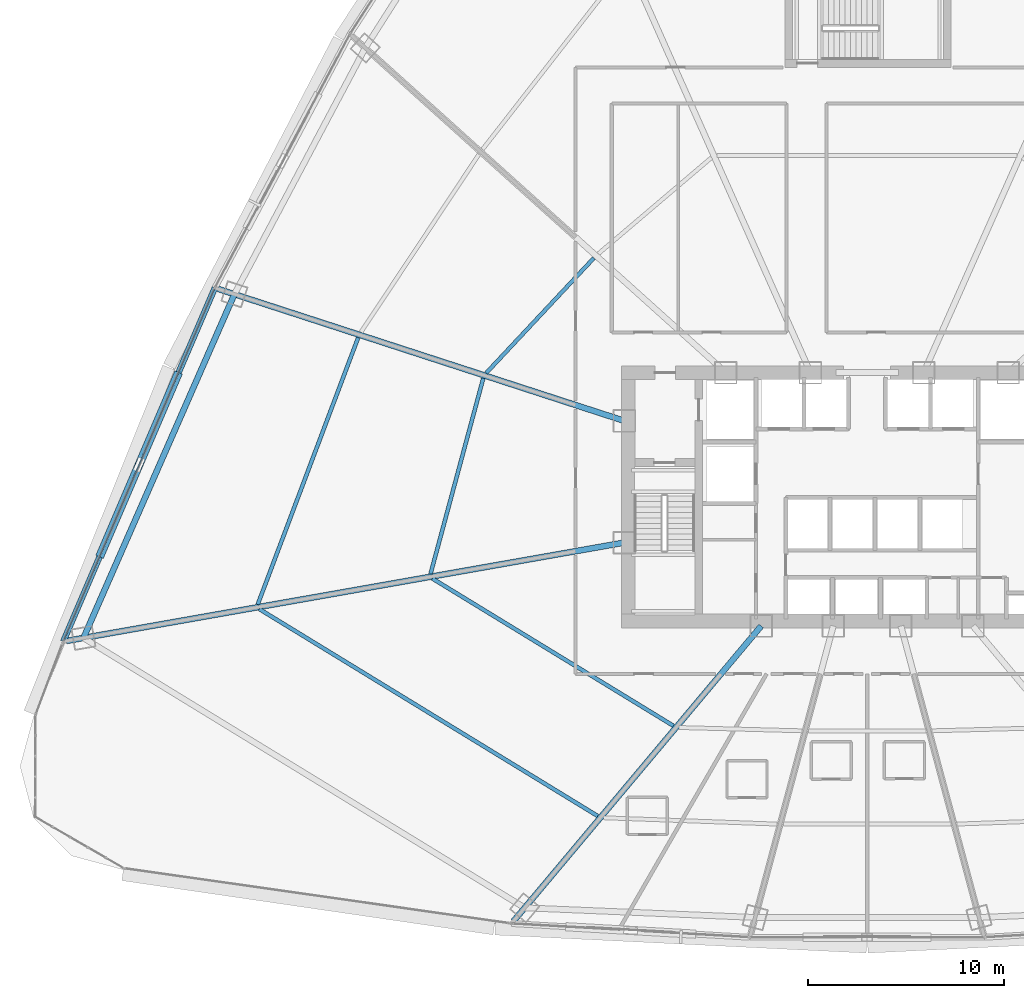
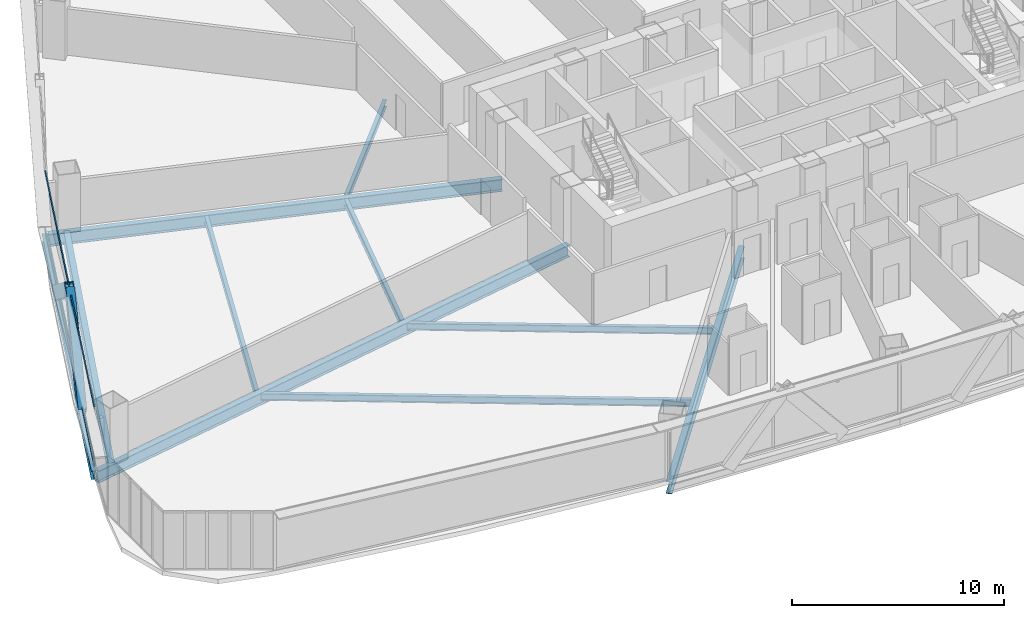
# One storey, part 7 of 40: 10 beams, 4 members, 1 element without a shape of its own.
"""IFC4 building model written with IfcOpenShell, lengths in metres."""

from ifc_helpers import new_model, si_unit, direction, frame, origin, origin_2d, place, context, subcontext, project, spatial, hollow_rectangle, i_section, extrude, source, transform, mapped, material, layer, layer_set, material_profile, profile_set, type_object, element, aggregate, save


model = new_model("IFC4")

# Units and contexts
model_context = context("Model", 3, precision=1e-05, world=origin(), true_north=direction((0.0, 1.0)))
body_context = subcontext(model_context, "Body", "Model", "MODEL_VIEW")
ifc_project = project(units=[si_unit("LENGTHUNIT", "METRE"), si_unit("AREAUNIT", "SQUARE_METRE"), si_unit("VOLUMEUNIT", "CUBIC_METRE"), si_unit("PLANEANGLEUNIT", "RADIAN"), si_unit("MASSUNIT", "GRAM", prefix="KILO"), si_unit("THERMODYNAMICTEMPERATUREUNIT", "KELVIN"), si_unit("POWERUNIT", "WATT")], contexts=[model_context])

# Site, building, storey
site_placement = place(None, origin())
site = spatial("IfcSite", under=ifc_project, at=site_placement, CompositionType="ELEMENT")
building_placement = place(site_placement, origin())
building = spatial("IfcBuilding", under=site, at=building_placement, Name="Yunzhuo Pagoda Commons", CompositionType="ELEMENT")
storey_placement = place(building_placement, frame((0.0, 0.0, 66.699951171875)))
storey = spatial("IfcBuildingStorey", under=building, at=storey_placement, Name="L17", CompositionType="ELEMENT", Elevation=66.699951171875)

# Beams
ifc_material_1 = material(Name="Structural steel Q355B", Category="steel")
ifc_material_profile_1 = material_profile(ifc_material_1, i_section(OverallWidth=0.300048828125, OverallDepth=0.699951171875, WebThickness=0.012939453125, FlangeThickness=0.02392578125, at=origin_2d()), Name="Structural steel Q355B")
ifc_profile_set_1 = profile_set([ifc_material_profile_1], Name="Structural steel Q355B")
beam_type_1 = type_object("IfcBeamType", Name="B-RG1 Beam HN 700x300x13x24", PredefinedType="BEAM", material=ifc_profile_set_1)
shared_shape_1 = source(origin(), body_context, "Body", "SweptSolid", [
    extrude(i_section(OverallWidth=0.300048828125, OverallDepth=0.699951171875, WebThickness=0.012939453125, FlangeThickness=0.02392578125, at=origin_2d()), origin(), (0.0, 0.0, 1.0), 19.18603515625),
])
beam_1_placement = place(storey_placement, frame((15.66455078125, 44.206298828125, -0.60986328125), z_axis=(-0.40196534204, -0.915654882474, 0.0), x_axis=(0.915654882474, -0.40196534204, 0.0)))
element("IfcBeam", 1, at=beam_1_placement, inside=storey, type_object=beam_type_1, Name="L17 column-ring beam 11", PredefinedType="BEAM", context=body_context, shape_type="MappedRepresentation", body=[
    mapped(shared_shape_1, transform((0.0, 0.0, 0.0), scale=1.0)),
])
ifc_material_profile_2 = material_profile(ifc_material_1, i_section(OverallWidth=0.199951171875, OverallDepth=0.39990234375, WebThickness=0.008056640625, FlangeThickness=0.012939453125, at=origin_2d()), Name="Structural steel Q355B")
ifc_profile_set_2 = profile_set([ifc_material_profile_2], Name="Structural steel Q355B")
beam_type_2 = type_object("IfcBeamType", Name="B-JS1 Joist HN 400x200x8x13", PredefinedType="JOIST", material=ifc_profile_set_2)
shared_shape_2 = source(origin(), body_context, "Body", "SweptSolid", [
    extrude(i_section(OverallWidth=0.199951171875, OverallDepth=0.39990234375, WebThickness=0.008056640625, FlangeThickness=0.012939453125, at=origin_2d()), origin(), (0.0, 0.0, 1.0), 14.4365234375),
])
beam_2_placement = place(storey_placement, frame((25.782470703125, 29.675537109375, -0.4599609375), z_axis=(0.85325633277, -0.521491735876, 0.0), x_axis=(0.521491735876, 0.85325633277, 0.0)))
element("IfcBeam", 2, at=beam_2_placement, inside=storey, type_object=beam_type_2, Name="L17 composite ring joist 1.12", PredefinedType="JOIST", context=body_context, shape_type="MappedRepresentation", body=[
    mapped(shared_shape_2, transform((0.0, 0.0, 0.0), scale=1.0)),
])
shared_shape_3 = source(origin(), body_context, "Body", "SweptSolid", [
    extrude(i_section(OverallWidth=0.199951171875, OverallDepth=0.39990234375, WebThickness=0.008056640625, FlangeThickness=0.012939453125, at=origin_2d()), origin(), (0.0, 0.0, 1.0), 20.275634765625),
])
beam_3_placement = place(storey_placement, frame((16.935302734375, 28.11572265625, -0.4599609375), z_axis=(0.853102898066, -0.521742700295, 0.0), x_axis=(0.521742700295, 0.853102898066, 0.0)))
element("IfcBeam", 3, at=beam_3_placement, inside=storey, type_object=beam_type_2, Name="L17 composite ring joist 2.12", PredefinedType="JOIST", context=body_context, shape_type="MappedRepresentation", body=[
    mapped(shared_shape_3, transform((0.0, 0.0, 0.0), scale=1.0)),
])
shared_shape_4 = source(origin(), body_context, "Body", "SweptSolid", [
    extrude(i_section(OverallWidth=0.199951171875, OverallDepth=0.39990234375, WebThickness=0.008056640625, FlangeThickness=0.012939453125, at=origin_2d()), origin(), (0.0, 0.0, 1.0), 10.351806640625),
])
beam_4_placement = place(storey_placement, frame((28.3818359375, 39.9072265625, -0.4599609375), z_axis=(-0.260208595802, -0.965552425646, 0.0), x_axis=(0.965552425646, -0.260208595802, 0.0)))
element("IfcBeam", 4, at=beam_4_placement, inside=storey, type_object=beam_type_2, Name="L17 composite ring joist 1.11", PredefinedType="JOIST", context=body_context, shape_type="MappedRepresentation", body=[
    mapped(shared_shape_4, transform((0.0, 0.0, 0.0), scale=1.0)),
])
shared_shape_5 = source(origin(), body_context, "Body", "SweptSolid", [
    extrude(i_section(OverallWidth=0.199951171875, OverallDepth=0.39990234375, WebThickness=0.008056640625, FlangeThickness=0.012939453125, at=origin_2d()), origin(), (0.0, 0.0, 1.0), 14.571044921875),
])
beam_5_placement = place(storey_placement, frame((21.98779296875, 41.98486328125, -0.4599609375), z_axis=(-0.352208383632, -0.935921607027, 0.0), x_axis=(0.935921607027, -0.352208383632, 0.0)))
element("IfcBeam", 5, at=beam_5_placement, inside=storey, type_object=beam_type_2, Name="L17 composite ring joist 2.11", PredefinedType="JOIST", context=body_context, shape_type="MappedRepresentation", body=[
    mapped(shared_shape_5, transform((0.0, 0.0, 0.0), scale=1.0)),
])
shared_shape_6 = source(origin(), body_context, "Body", "SweptSolid", [
    extrude(i_section(OverallWidth=0.199951171875, OverallDepth=0.39990234375, WebThickness=0.008056640625, FlangeThickness=0.012939453125, at=origin_2d()), origin(), (0.0, 0.0, 1.0), 8.055908203125),
])
beam_6_placement = place(storey_placement, frame((34.03759765625, 46.057861328125, -0.4599609375), z_axis=(-0.683432879027, -0.730013355949, 0.0), x_axis=(0.730013355949, -0.683432879027, 0.0)))
element("IfcBeam", 6, at=beam_6_placement, inside=storey, type_object=beam_type_2, Name="L17 composite ring joist 1.10", PredefinedType="JOIST", context=body_context, shape_type="MappedRepresentation", body=[
    mapped(shared_shape_6, transform((0.0, 0.0, 0.0), scale=1.0)),
])
shared_shape_7 = source(origin(), body_context, "Body", "SweptSolid", [
    extrude(i_section(OverallWidth=0.300048828125, OverallDepth=0.699951171875, WebThickness=0.012939453125, FlangeThickness=0.02392578125, at=origin_2d()), origin(), (0.0, 0.0, 1.0), 19.7001953125),
])
beam_7_placement = place(storey_placement, frame((29.9248046875, 12.15869140625, -0.60986328125), z_axis=(0.642786848986, 0.766045081422, 0.0), x_axis=(-0.766045081422, 0.642786848986, 0.0)))
element("IfcBeam", 7, at=beam_7_placement, inside=storey, type_object=beam_type_1, Name="L17 radial floor girder F1C1", PredefinedType="BEAM", context=body_context, shape_type="MappedRepresentation", body=[
    mapped(shared_shape_7, transform((0.0, 0.0, 0.0), scale=1.0)),
])
shared_shape_8 = source(origin(), body_context, "Body", "SweptSolid", [
    extrude(i_section(OverallWidth=0.300048828125, OverallDepth=0.699951171875, WebThickness=0.012939453125, FlangeThickness=0.02392578125, at=origin_2d()), origin(), (0.0, 0.0, 1.0), 28.96923828125),
])
beam_8_placement = place(storey_placement, frame((7.071044921875, 26.483154296875, -0.60986328125), z_axis=(0.984808746464, 0.173642543427, 0.0), x_axis=(-0.173642543427, 0.984808746464, 0.0)))
element("IfcBeam", 8, at=beam_8_placement, inside=storey, type_object=beam_type_1, Name="L17 radial floor girder F3C4", PredefinedType="BEAM", context=body_context, shape_type="MappedRepresentation", body=[
    mapped(shared_shape_8, transform((0.0, 0.0, 0.0), scale=1.0)),
])
shared_shape_9 = source(origin(), body_context, "Body", "SweptSolid", [
    extrude(i_section(OverallWidth=0.300048828125, OverallDepth=0.699951171875, WebThickness=0.012939453125, FlangeThickness=0.02392578125, at=origin_2d()), origin(), (0.0, 0.0, 1.0), 21.8564453125),
])
beam_9_placement = place(storey_placement, frame((14.813232421875, 44.48291015625, -0.60986328125), z_axis=(0.951058609715, -0.309010551415, 0.0), x_axis=(0.309010551415, 0.951058609715, 0.0)))
element("IfcBeam", 9, at=beam_9_placement, inside=storey, type_object=beam_type_1, Name="L17 radial floor girder F3C3", PredefinedType="BEAM", context=body_context, shape_type="MappedRepresentation", body=[
    mapped(shared_shape_9, transform((0.0, 0.0, 0.0), scale=1.0)),
])
ifc_material_profile_3 = material_profile(ifc_material_1, i_section(OverallWidth=0.300048828125, OverallDepth=0.488037109375, WebThickness=0.010986328125, FlangeThickness=0.01806640625, at=origin_2d()), Name="Structural steel Q355B")
ifc_profile_set_3 = profile_set([ifc_material_profile_3], Name="Structural steel Q355B")
beam_type_3 = type_object("IfcBeamType", Name="B-SP1 Beam HM 488x300x11x18", PredefinedType="BEAM", material=ifc_profile_set_3)
shared_shape_10 = source(origin(), body_context, "Body", "SweptSolid", [
    extrude(i_section(OverallWidth=0.300048828125, OverallDepth=0.488037109375, WebThickness=0.010986328125, FlangeThickness=0.01806640625, at=origin_2d()), origin(), (0.0, 0.0, 1.0), 19.665283203125),
])
beam_10_placement = place(storey_placement, frame((14.666015625, 44.531005859375, -0.50390625), z_axis=(-0.39398372615, -0.919117415529, 0.0), x_axis=(0.919117415529, -0.39398372615, 0.0)))
element("IfcBeam", 10, at=beam_10_placement, inside=storey, type_object=beam_type_3, Name="L17 facade edge spandrel beam F3.3", PredefinedType="BEAM", context=body_context, shape_type="MappedRepresentation", body=[
    mapped(shared_shape_10, transform((0.0, 0.0, 0.0), scale=1.0)),
])

# Members
ifc_material_2 = material(Name="Structural steel Q420B", Category="steel")
ifc_material_profile_4 = material_profile(ifc_material_2, hollow_rectangle(XDim=0.419921875, YDim=0.719970703125, WallThickness=0.028076171875, at=origin_2d()), Name="Structural steel Q420B")
ifc_profile_set_4 = profile_set([ifc_material_profile_4], Name="Structural steel Q420B")
member_type_1 = type_object("IfcMemberType", Name="M-DL1 Brace BOX 720x420x28", PredefinedType="BRACE", material=ifc_profile_set_4)
shared_shape_11 = source(origin(), body_context, "Body", "SweptSolid", [
    extrude(hollow_rectangle(XDim=0.419921875, YDim=0.719970703125, WallThickness=0.028076171875, at=origin_2d()), origin(), (0.0, 0.0, 1.0), 6.111328125),
])
member_1_placement = place(storey_placement, frame((12.72900390625, 40.01220703125, -0.260009765625), z_axis=(-0.316949853853, -0.739403181872, 0.593991350762), x_axis=(0.919116774061, -0.393985222616, 0.0)))
element("IfcMember", 11, at=member_1_placement, inside=storey, type_object=member_type_1, Name="L17 facade diamond brace F3.3L", PredefinedType="BRACE", context=body_context, shape_type="MappedRepresentation", body=[
    mapped(shared_shape_11, transform((0.0, 0.0, 0.0), scale=1.0)),
])
shared_shape_12 = source(origin(), body_context, "Body", "SweptSolid", [
    extrude(hollow_rectangle(XDim=0.419921875, YDim=0.719970703125, WallThickness=0.028076171875, at=origin_2d()), origin(), (0.0, 0.0, 1.0), 6.111083984375),
])
member_2_placement = place(storey_placement, frame((8.855224609375, 30.97509765625, -0.260009765625), z_axis=(0.316932641028, 0.739376325162, 0.594033964383), x_axis=(-0.919119340132, 0.393979236249, 0.0)))
element("IfcMember", 12, at=member_2_placement, inside=storey, type_object=member_type_1, Name="L17 facade diamond brace F3.3R", PredefinedType="BRACE", context=body_context, shape_type="MappedRepresentation", body=[
    mapped(shared_shape_12, transform((0.0, 0.0, 0.0), scale=1.0)),
])

# Curtain wall, members
ifc_material_3 = material(Name="Anodized aluminium 6063-T6", Category="aluminium")
ifc_layer = layer(ifc_material_3, 0.1650390625)
ifc_layer_set = layer_set([ifc_layer], Name="Anodized aluminium 6063-T6")
curtain_wall_type = type_object("IfcCurtainWallType", Name="CW-LOW Low-Zone Ribbon Curtain Wall", PredefinedType="NOTDEFINED", material=ifc_layer_set)
curtain_wall_placement = place(storey_placement, origin())
curtain_wall = element("IfcCurtainWall", 13, at=curtain_wall_placement, inside=storey, type_object=curtain_wall_type, Name="L17 curtain wall CW-L17-F3B4", PredefinedType="NOTDEFINED")
ifc_material_profile_5 = material_profile(ifc_material_3, hollow_rectangle(XDim=0.06005859375, YDim=0.139892578125, WallThickness=0.00341796875, at=origin_2d()), Name="Anodized aluminium 6063-T6")
ifc_profile_set_5 = profile_set([ifc_material_profile_5], Name="Anodized aluminium 6063-T6")
member_type_2 = type_object("IfcMemberType", Name="CW-LOW-T Transom RHS 140x60x3.5", PredefinedType="USERDEFINED", material=ifc_profile_set_5)
shared_shape_13 = source(origin(), body_context, "Body", "SweptSolid", [
    extrude(hollow_rectangle(XDim=0.06005859375, YDim=0.139892578125, WallThickness=0.00341796875, at=origin_2d()), origin(), (0.0, 0.0, 1.0), 19.535400390625),
])
member_3_placement = place(storey_placement, frame((14.640380859375, 44.47119140625, 0.0302734375), z_axis=(-0.393979629868, -0.919119171408, 0.0), x_axis=(0.919119171408, -0.393979629868, 0.0)))
member_3 = element("IfcMember", 14, at=member_3_placement, type_object=member_type_2, Name="CW transom 1.1", ObjectType="TRANSOM", PredefinedType="USERDEFINED", context=body_context, shape_type="MappedRepresentation", body=[
    mapped(shared_shape_13, transform((0.0, 0.0, 0.0), scale=1.0)),
])
member_4_placement = place(storey_placement, frame((14.640380859375, 44.47119140625, 3.340087890625), z_axis=(-0.393979629868, -0.919119171408, 0.0), x_axis=(0.919119171408, -0.393979629868, 0.0)))
member_4 = element("IfcMember", 15, at=member_4_placement, type_object=member_type_2, Name="CW transom 1.2", ObjectType="TRANSOM", PredefinedType="USERDEFINED", context=body_context, shape_type="MappedRepresentation", body=[
    mapped(shared_shape_13, transform((0.0, 0.0, 0.0), scale=1.0)),
])
aggregate(curtain_wall, [member_3, member_4])

save(model, "model.ifc")
